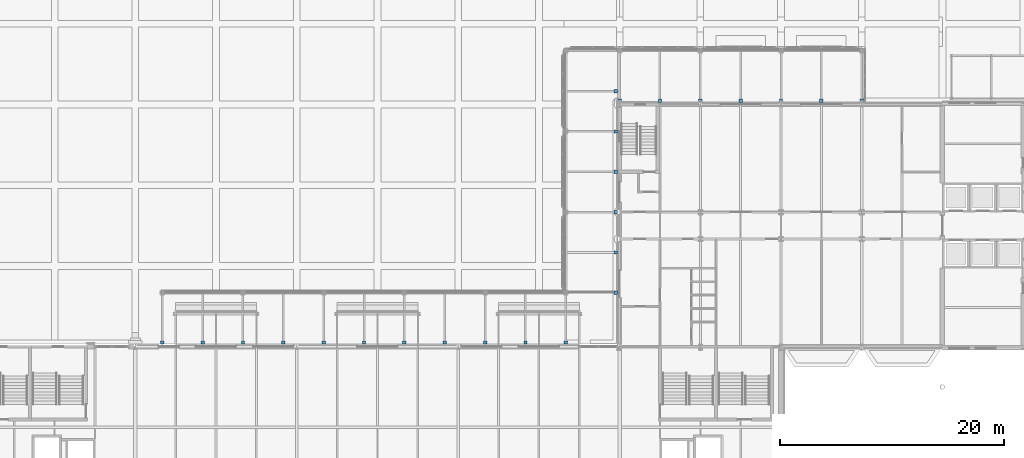
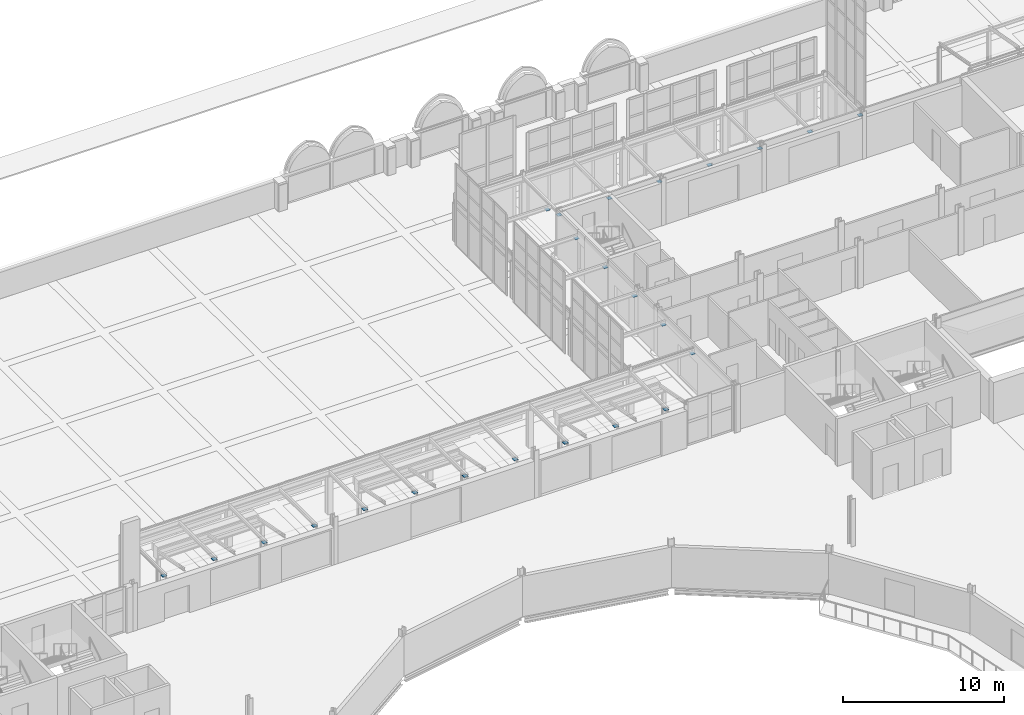
# One storey, part 103 of 143: 24 discrete accessories.
"""IFC4 building model written with IfcOpenShell, lengths in metres."""

from ifc_helpers import new_model, si_unit, direction, frame, origin, origin_2d, place, context, subcontext, project, spatial, rectangle, extrude, material, layer, layer_set, type_object, element, save


model = new_model("IFC4")

# Units and contexts
model_context = context("Model", 3, precision=1e-05, world=origin(), true_north=direction((0.0, 1.0)))
body_context = subcontext(model_context, "Body", "Model", "MODEL_VIEW")
ifc_project = project(units=[si_unit("LENGTHUNIT", "METRE"), si_unit("AREAUNIT", "SQUARE_METRE"), si_unit("VOLUMEUNIT", "CUBIC_METRE"), si_unit("PLANEANGLEUNIT", "RADIAN"), si_unit("MASSUNIT", "GRAM", prefix="KILO")], contexts=[model_context])

# Site, building, storey
site_placement = place(None, origin())
site = spatial("IfcSite", under=ifc_project, at=site_placement, CompositionType="ELEMENT")
building_placement = place(site_placement, origin())
building = spatial("IfcBuilding", under=site, at=building_placement, Name="Kupolbacken Congress Centre", CompositionType="ELEMENT")
storey_placement = place(building_placement, frame((0.0, 0.0, 7.199951171875)))
storey = spatial("IfcBuildingStorey", under=building, at=storey_placement, Name="L02", CompositionType="ELEMENT", Elevation=7.199951171875)

# Discrete accessories
ifc_material = material(Name="Steel S355", Category="steel")
ifc_layer = layer(ifc_material, 0.02001953125)
ifc_layer_set = layer_set([ifc_layer], Name="Steel S355")
discrete_accessory_type = type_object("IfcDiscreteAccessoryType", Name="BK2 bracket 300 x 300 x 20", PredefinedType="BRACKET", material=ifc_layer_set)
for number, where, z_axis, x_axis, name in (
    (1, (24.0, 122.77001953125, 2.985107421875), (0.0, 0.0, 1.0), (1.0, 0.0, 0.0), "E/T/portico/P/bk24"),
    (2, (27.60009765625, 122.77001953125, 2.985107421875), (0.0, 0.0, 1.0), (1.0, 0.0, 0.0), "E/T/portico/P/bk27.6"),
    (3, (31.199951171875, 122.77001953125, 2.985107421875), (0.0, 0.0, 1.0), (1.0, 0.0, 0.0), "E/T/portico/P/bk31.2"),
    (4, (34.800048828125, 122.77001953125, 2.985107421875), (0.0, 0.0, 1.0), (1.0, 0.0, 0.0), "E/T/portico/P/bk34.8"),
    (5, (38.39990234375, 122.77001953125, 2.985107421875), (0.0, 0.0, 1.0), (1.0, 0.0, 0.0), "E/T/portico/P/bk38.4"),
    (6, (42.0, 122.77001953125, 2.985107421875), (0.0, 0.0, 1.0), (1.0, 0.0, 0.0), "E/T/portico/P/bk42"),
    (7, (45.60009765625, 122.77001953125, 2.985107421875), (0.0, 0.0, 1.0), (1.0, 0.0, 0.0), "E/T/portico/P/bk45.6"),
    (8, (49.199951171875, 122.77001953125, 2.985107421875), (0.0, 0.0, 1.0), (1.0, 0.0, 0.0), "E/T/portico/P/bk49.2"),
    (9, (52.800048828125, 122.77001953125, 2.985107421875), (0.0, 0.0, 1.0), (1.0, 0.0, 0.0), "E/T/portico/P/bk52.8"),
    (10, (56.39990234375, 122.77001953125, 2.985107421875), (0.0, 0.0, 1.0), (1.0, 0.0, 0.0), "E/T/portico/P/bk56.4"),
    (11, (60.0, 122.77001953125, 2.985107421875), (0.0, 0.0, 1.0), (1.0, 0.0, 0.0), "E/T/portico/P/bk60"),
    (12, (64.4599609375, 127.199951171875, 2.985107421875), (0.0, 0.0, 1.0), (0.0, 1.0, 0.0), "E/T/portico/W/bk127.2"),
    (13, (64.4599609375, 130.800048828125, 2.985107421875), (0.0, 0.0, 1.0), (0.0, 1.0, 0.0), "E/T/portico/W/bk130.8"),
    (14, (64.4599609375, 134.39990234375, 2.985107421875), (0.0, 0.0, 1.0), (0.0, 1.0, 0.0), "E/T/portico/W/bk134.4"),
    (15, (64.4599609375, 138.0, 2.985107421875), (0.0, 0.0, 1.0), (0.0, 1.0, 0.0), "E/T/portico/W/bk138"),
    (16, (64.4599609375, 141.60009765625, 2.985107421875), (0.0, 0.0, 1.0), (0.0, 1.0, 0.0), "E/T/portico/W/bk141.6"),
    (17, (64.4599609375, 145.199951171875, 2.985107421875), (0.0, 0.0, 1.0), (0.0, 1.0, 0.0), "E/T/portico/W/bk145.2"),
    (18, (64.800048828125, 144.340087890625, 2.985107421875), (0.0, 0.0, 1.0), (1.0, 0.0, 0.0), "E/T/portico/N/bk64.8"),
    (19, (68.39990234375, 144.340087890625, 2.985107421875), (0.0, 0.0, 1.0), (1.0, 0.0, 0.0), "E/T/portico/N/bk68.4"),
    (20, (72.0, 144.340087890625, 2.985107421875), (0.0, 0.0, 1.0), (1.0, 0.0, 0.0), "E/T/portico/N/bk72"),
    (21, (75.60009765625, 144.340087890625, 2.985107421875), (0.0, 0.0, 1.0), (1.0, 0.0, 0.0), "E/T/portico/N/bk75.6"),
    (22, (79.199951171875, 144.340087890625, 2.985107421875), (0.0, 0.0, 1.0), (1.0, 0.0, 0.0), "E/T/portico/N/bk79.2"),
    (23, (82.800048828125, 144.340087890625, 2.985107421875), (0.0, 0.0, 1.0), (1.0, 0.0, 0.0), "E/T/portico/N/bk82.8"),
    (24, (86.39990234375, 144.340087890625, 2.985107421875), (0.0, 0.0, 1.0), (1.0, 0.0, 0.0), "E/T/portico/N/bk86.4"),
):
    element("IfcDiscreteAccessory", number, at=place(storey_placement, frame(where, z_axis=z_axis, x_axis=x_axis)), inside=storey, type_object=discrete_accessory_type, Name=name, PredefinedType="BRACKET", context=body_context, shape_type="SweptSolid", body=[
        extrude(rectangle(XDim=0.300048828125, YDim=0.300048828125, at=origin_2d()), origin(), (0.0, 0.0, 1.0), 0.02001953125),
    ])

save(model, "model.ifc")
